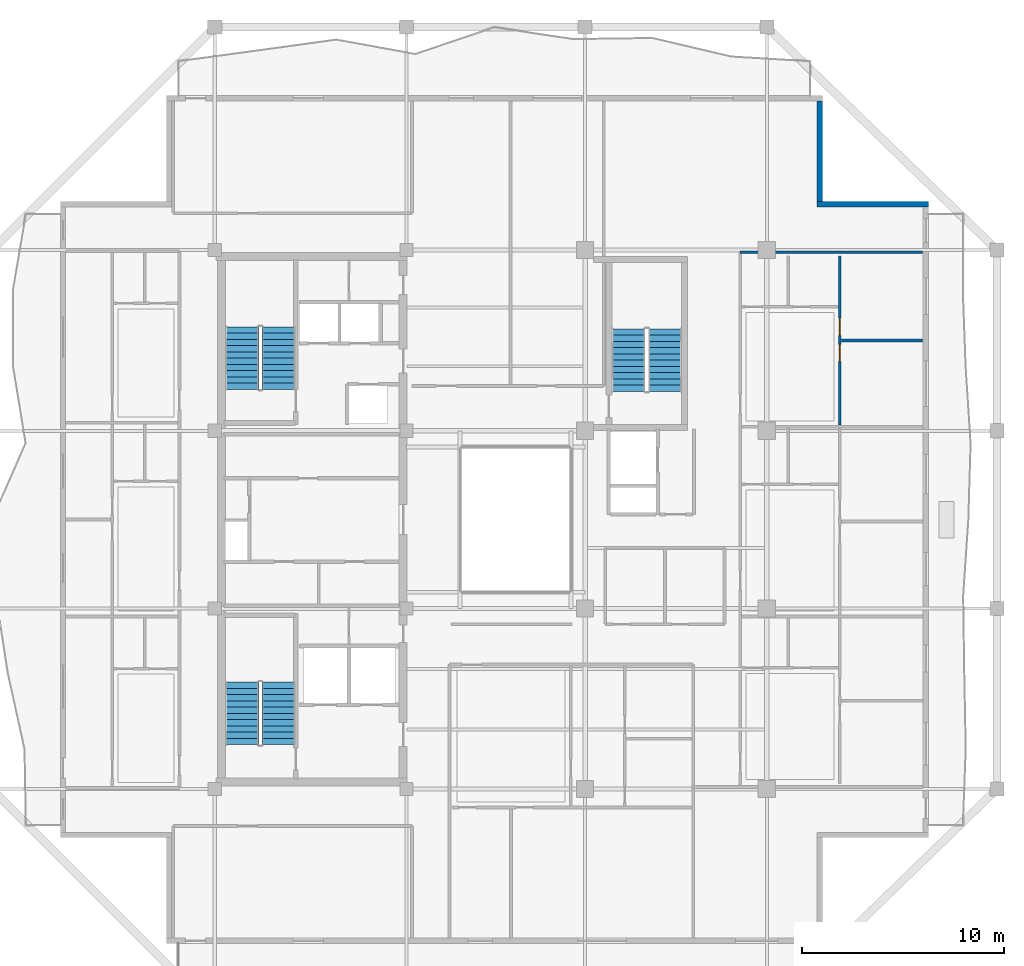
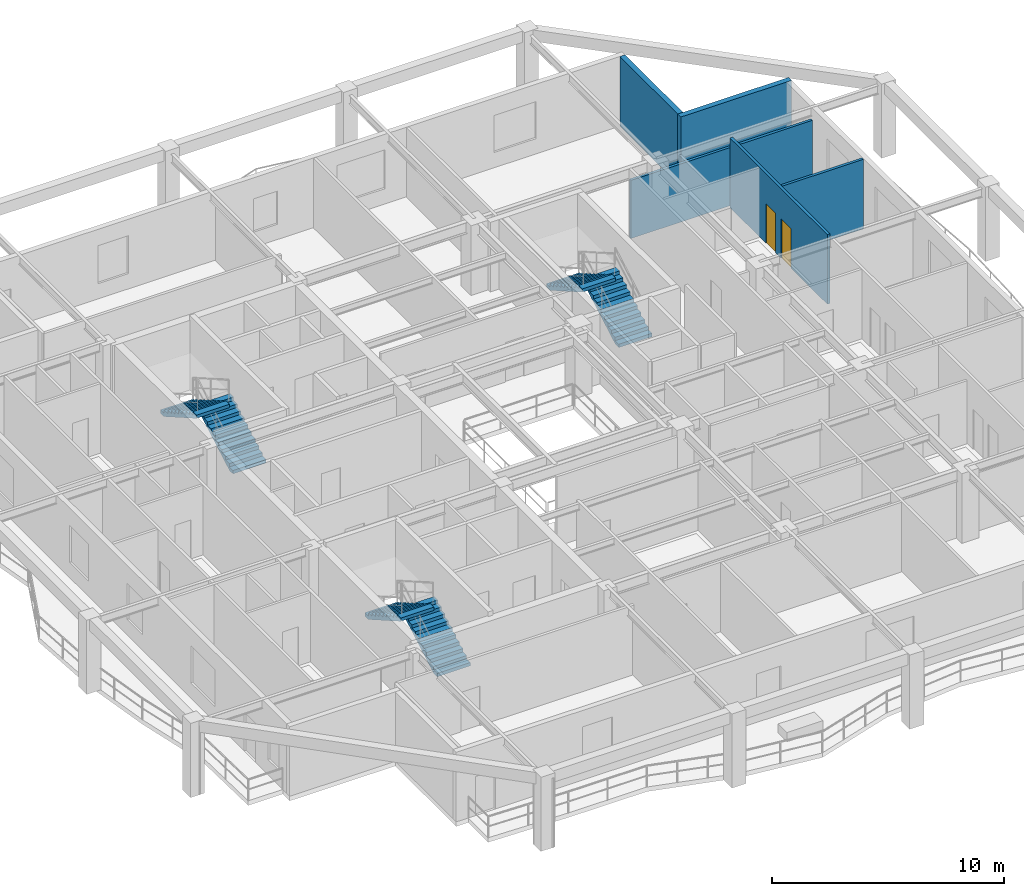
# One storey, part 7 of 13: 6 stair flights, 5 walls, 2 doors, 2 openings, 3 elements without a shape of their own.
"""IFC4 building model written with IfcOpenShell, lengths in metres."""

import ifcopenshell
import ifcopenshell.guid

model = None  # the IFC model being written
_history = None  # IfcOwnerHistory: only IFC2X3 demands one
_inside = {}  # id of a spatial element -> (the spatial element, [elements in it])
_under = {}  # id of a project, library or spatial element -> (it, [spatial elements below it])
_declared = {}  # id of a project -> (the project, [libraries it declares])
_typed = {}  # id of a type object -> (the type object, [elements of that type])
_made_of = {}  # id of a material, layer set ... -> (it, [elements and type objects made of it])


def new_model(schema):
    """Start an empty IFC model of exactly this schema.

    Asked for "IFC4X3", IfcOpenShell would pick the latest addendum, in which some entities
    have other attributes; the version numbers below select the first issue.
    IFC2X3 requires an IfcOwnerHistory on every rooted entity: one is made here for all.
    """
    global model, _history
    if schema == "IFC4X3":
        model = ifcopenshell.file(schema_version=(4, 3, 0, 0))
    else:
        model = ifcopenshell.file(schema=schema)
    _inside.clear()
    _under.clear()
    _declared.clear()
    _typed.clear()
    _made_of.clear()
    _history = None
    if model.schema == "IFC2X3":
        org = make("IfcOrganization", Name="unknown")
        user = make(
            "IfcPersonAndOrganization",
            ThePerson=make("IfcPerson", FamilyName="unknown"),
            TheOrganization=org,
        )
        app = make(
            "IfcApplication",
            ApplicationDeveloper=org,
            Version="unknown",
            ApplicationFullName="unknown",
            ApplicationIdentifier="unknown",
        )
        _history = make(
            "IfcOwnerHistory",
            OwningUser=user,
            OwningApplication=app,
            ChangeAction="ADDED",
            CreationDate=0,
        )
    return model


def make(cls, **values):
    """One entity of the class cls with the attributes given. An attribute that is None is left unset."""
    return model.create_entity(
        cls, **{name: value for name, value in values.items() if value is not None}
    )


def rooted(cls, **values):
    """An entity with a GlobalId (a new one), such as an element, a storey or a relation."""
    return make(cls, GlobalId=ifcopenshell.guid.new(), OwnerHistory=_history, **values)


def si_unit(unit_type, name, prefix=None):
    """IfcSIUnit, for example si_unit("LENGTHUNIT", "METRE", prefix="MILLI")."""
    return make("IfcSIUnit", UnitType=unit_type, Prefix=prefix, Name=name)


def assignment(units):
    """IfcUnitAssignment: the units of a project."""
    return None if units is None else make("IfcUnitAssignment", Units=units)


def point(xyz):
    """IfcCartesianPoint."""
    return None if xyz is None else make("IfcCartesianPoint", Coordinates=xyz)


def direction(xyz):
    """IfcDirection."""
    return None if xyz is None else make("IfcDirection", DirectionRatios=xyz)


def frame(location, z_axis=None, x_axis=None):
    """IfcAxis2Placement3D, a coordinate frame: its origin and axes. An axis left out is left unset."""
    return make(
        "IfcAxis2Placement3D",
        Location=point(location),
        Axis=direction(z_axis),
        RefDirection=direction(x_axis),
    )


def frame_2d(location, x_axis=None):
    """IfcAxis2Placement2D, a coordinate frame in the plane: its origin and x axis."""
    return make(
        "IfcAxis2Placement2D", Location=point(location), RefDirection=direction(x_axis)
    )


def origin():
    """The frame at (0, 0, 0) with its axes left unset."""
    return frame((0.0, 0.0, 0.0))


def place(relative_to, where):
    """IfcLocalPlacement: puts the frame where relative to a parent placement (None: the world)."""
    return make(
        "IfcLocalPlacement", PlacementRelTo=relative_to, RelativePlacement=where
    )


def context(
    kind, dimensions, precision=None, world=None, true_north=None, identifier=None
):
    """IfcGeometricRepresentationContext, for example the 3D "Model" context."""
    return make(
        "IfcGeometricRepresentationContext",
        ContextIdentifier=identifier,
        ContextType=kind,
        CoordinateSpaceDimension=dimensions,
        Precision=precision,
        WorldCoordinateSystem=world,
        TrueNorth=true_north,
    )


def subcontext(parent, identifier, kind, view, scale=None):
    """IfcGeometricRepresentationSubContext, for example "Body" below "Model"."""
    return make(
        "IfcGeometricRepresentationSubContext",
        ContextIdentifier=identifier,
        ContextType=kind,
        ParentContext=parent,
        TargetScale=scale,
        TargetView=view,
    )


def project(units=None, contexts=None):
    """IfcProject with its units and contexts."""
    return rooted(
        "IfcProject",
        Name="project",
        RepresentationContexts=contexts,
        UnitsInContext=assignment(units),
    )


def spatial(cls, under=None, at=None, **own):
    """A site, building, storey or space (cls), placed at a placement, below another one or the project."""
    s = rooted(cls, ObjectPlacement=at, **own)
    if under is not None:
        _under.setdefault(under.id(), (under, []))[1].append(s)
    return s


def polyline(points):
    """IfcPolyline through the points."""
    return make("IfcPolyline", Points=[point(p) for p in points])


def profile(cls, at=None, kind="AREA", **sizes):
    """A parametric profile (cls). Its sizes go by their IFC names, for example OverallWidth=200.0."""
    return make(cls, ProfileType=kind, Position=at, **sizes)


def rectangle(**sizes):
    """IfcRectangleProfileDef."""
    return profile("IfcRectangleProfileDef", **sizes)


def outline(outer, holes=None, kind="AREA"):
    """IfcArbitraryClosedProfileDef: a profile drawn as a closed curve; with holes, ...WithVoids."""
    if holes is None:
        return make("IfcArbitraryClosedProfileDef", ProfileType=kind, OuterCurve=outer)
    return make(
        "IfcArbitraryProfileDefWithVoids",
        ProfileType=kind,
        OuterCurve=outer,
        InnerCurves=holes,
    )


def extrude(swept, where, along, depth):
    """IfcExtrudedAreaSolid: the profile swept, set in the frame where, extruded along a direction by depth."""
    return make(
        "IfcExtrudedAreaSolid",
        SweptArea=swept,
        Position=where,
        ExtrudedDirection=direction(along),
        Depth=depth,
    )


def shape(context_of_items, identifier, shape_type, items):
    """IfcShapeRepresentation: the items that make up one representation, for example the "Body"."""
    return make(
        "IfcShapeRepresentation",
        ContextOfItems=context_of_items,
        RepresentationIdentifier=identifier,
        RepresentationType=shape_type,
        Items=items,
    )


def material(Name=None, Category=None):
    """IfcMaterial."""
    return make("IfcMaterial", Name=Name, Category=Category)


def layer(
    of_material, thickness, ventilated=None, Name=None, Category=None, Priority=None
):
    """IfcMaterialLayer: one layer of a wall or slab, of a material (None: an air gap)."""
    return make(
        "IfcMaterialLayer",
        Material=of_material,
        LayerThickness=thickness,
        IsVentilated=ventilated,
        Name=Name,
        Category=Category,
        Priority=Priority,
    )


def layer_set(layers, Name=None):
    """IfcMaterialLayerSet."""
    return make("IfcMaterialLayerSet", MaterialLayers=layers, LayerSetName=Name)


def made_of(thing, what):
    """Note that an element or type object is made of a material, layer set ...; save() writes the relation."""
    if what is not None:
        _made_of.setdefault(what.id(), (what, []))[1].append(thing)
    return thing


def type_object(cls, material=None, **own):
    """A type object (cls), such as IfcWallType, which elements share."""
    return made_of(rooted(cls, **own), material)


def element(
    cls,
    number,
    at=None,
    inside=None,
    cuts=None,
    type_object=None,
    material=None,
    context=None,
    identifier="Body",
    shape_type=None,
    held_by="IfcProductDefinitionShape",
    body=None,
    shapes=None,
    **own,
):
    """One element of the class cls, such as IfcWall. Its Tag is "e" and its number.

    at: its placement. inside: the storey or other place that contains it. cuts: it is an
    opening in that element (IfcRelVoidsElement). A single representation is given by context,
    identifier, shape_type and body (its items); several are given by shapes. held_by: the class
    of the entity that holds the representations. save() writes the other relations.
    """
    e = rooted(cls, Tag="e%d" % number, ObjectPlacement=at, **own)
    if body is not None:
        shapes = [shape(context, identifier, shape_type, body)]
    if shapes is not None:
        e.Representation = make(held_by, Representations=shapes)
    if inside is not None:
        _inside.setdefault(inside.id(), (inside, []))[1].append(e)
    if cuts is not None:
        rooted(
            "IfcRelVoidsElement", RelatingBuildingElement=cuts, RelatedOpeningElement=e
        )
    if type_object is not None:
        _typed.setdefault(type_object.id(), (type_object, []))[1].append(e)
    return made_of(e, material)


def fill(opening, filler):
    """IfcRelFillsElement: the door or window that sits in an opening."""
    return rooted(
        "IfcRelFillsElement",
        RelatingOpeningElement=opening,
        RelatedBuildingElement=filler,
    )


def aggregate(whole, parts):
    """IfcRelAggregates: a whole, such as a stair, and the parts it consists of."""
    return rooted("IfcRelAggregates", RelatingObject=whole, RelatedObjects=parts)


def save(model, path):
    """Write the relations noted so far, then the file.

    IfcRelAggregates (storeys below a building ...), IfcRelContainedInSpatialStructure (elements
    in a storey), IfcRelDefinesByType, IfcRelAssociatesMaterial and IfcRelDeclares: one each for
    every whole, place, type object, material and project.
    """
    for whole, parts in _under.values():
        aggregate(whole, parts)
    for where, things in _inside.values():
        rooted(
            "IfcRelContainedInSpatialStructure",
            RelatedElements=things,
            RelatingStructure=where,
        )
    for kind, things in _typed.values():
        rooted("IfcRelDefinesByType", RelatedObjects=things, RelatingType=kind)
    for what, things in _made_of.values():
        rooted("IfcRelAssociatesMaterial", RelatedObjects=things, RelatingMaterial=what)
    for by, libraries in _declared.values():
        rooted("IfcRelDeclares", RelatingContext=by, RelatedDefinitions=libraries)
    model.write(path)


model = new_model("IFC4")

# Units and contexts
model_context = context("Model", 3, precision=1e-05, world=origin(), true_north=direction((0.0, 1.0)))
body_context = subcontext(model_context, "Body", "Model", "MODEL_VIEW")
ifc_project = project(units=[si_unit("LENGTHUNIT", "METRE"), si_unit("AREAUNIT", "SQUARE_METRE"), si_unit("VOLUMEUNIT", "CUBIC_METRE"), si_unit("PLANEANGLEUNIT", "RADIAN"), si_unit("MASSUNIT", "GRAM", prefix="KILO")], contexts=[model_context])

# Site, building, storey
site_placement = place(None, origin())
site = spatial("IfcSite", under=ifc_project, at=site_placement, CompositionType="ELEMENT")
building_placement = place(site_placement, origin())
building = spatial("IfcBuilding", under=site, at=building_placement, Name="Kundavana Baori Tower", CompositionType="ELEMENT")
storey_placement = place(building_placement, frame((0.0, 0.0, 225.800048828125)))
storey = spatial("IfcBuildingStorey", under=building, at=storey_placement, Name="L55", CompositionType="ELEMENT", Elevation=225.800048828125)

# Walls
ifc_material_1 = material(Name="Kiln-Fired Terracotta Brick-Slip Masonry on Concrete C40/50", Category="masonry")
ifc_layer_1 = layer(ifc_material_1, 0.260009765625, Name="WL-EXT-BRK-260")
ifc_layer_set_1 = layer_set([ifc_layer_1], Name="Kiln-Fired Terracotta Brick-Slip Masonry on Concrete C40/50")
wall_type_1 = type_object("IfcWallType", Name="WL-EXT-BRK-260", PredefinedType="SOLIDWALL", material=ifc_layer_set_1)
wall_1_placement = place(storey_placement, frame((50.800048828125, 44.219970703125, 0.0), z_axis=(0.0, 0.0, 1.0), x_axis=(-1.0, 0.0, 0.0)))
element("IfcWall", 1, at=wall_1_placement, inside=storey, type_object=wall_type_1, Name="L55 Exterior Insulated Facade Wall 05", PredefinedType="SOLIDWALL", context=body_context, shape_type="SweptSolid", body=[
    extrude(rectangle(XDim=5.510009765625, YDim=0.260009765625, at=frame_2d((2.7548828125, 0.0))), origin(), (0.0, 0.0, 1.0), 3.659912109375),
])
wall_2_placement = place(storey_placement, frame((45.419921875, 44.35009765625, 0.0), z_axis=(0.0, 0.0, 1.0), x_axis=(0.0, 1.0, 0.0)))
element("IfcWall", 2, at=wall_2_placement, inside=storey, type_object=wall_type_1, Name="L55 Exterior Insulated Facade Wall 06", PredefinedType="SOLIDWALL", context=body_context, shape_type="SweptSolid", body=[
    extrude(rectangle(XDim=4.989990234375, YDim=0.260009765625, at=frame_2d((2.4951171875, 0.0))), origin(), (0.0, 0.0, 1.0), 3.659912109375),
])
ifc_material_2 = material(Name="Acoustic Gypsum Plasterboard on Galvanised Steel Studs", Category="steel")
ifc_layer_2 = layer(ifc_material_2, 0.135009765625, Name="WL-PART-135")
ifc_layer_set_2 = layer_set([ifc_layer_2], Name="Acoustic Gypsum Plasterboard on Galvanised Steel Studs")
wall_type_2 = type_object("IfcWallType", Name="WL-PART-135", PredefinedType="PARTITIONING", material=ifc_layer_set_2)
wall_3_placement = place(storey_placement, frame((41.47998046875, 41.85009765625, 0.0), z_axis=(0.0, 0.0, 1.0), x_axis=(1.0, 0.0, 0.0)))
element("IfcWall", 3, at=wall_3_placement, inside=storey, type_object=wall_type_2, Name="WL-L55-REN", PredefinedType="PARTITIONING", context=body_context, shape_type="SweptSolid", body=[
    extrude(rectangle(XDim=9.0400390625, YDim=0.135009765625, at=frame_2d((4.52001953125, 0.0))), origin(), (0.0, 0.0, 1.0), 3.06005859375),
])

# Wall, openings, doors
wall_4_placement = place(storey_placement, frame((46.407958984375, 33.280029296875, 0.0), z_axis=(0.0, 0.0, 1.0), x_axis=(0.0, 1.0, 0.0)))
wall_4 = element("IfcWall", 4, at=wall_4_placement, inside=storey, type_object=wall_type_2, Name="WL-L55-E3-VT", PredefinedType="PARTITIONING", context=body_context, shape_type="SweptSolid", body=[
    extrude(rectangle(XDim=8.389892578125, YDim=0.135009765625, at=frame_2d((4.19482421875, 0.0))), origin(), (0.0, 0.0, 1.0), 3.659912109375),
])
opening_1_placement = place(wall_4_placement, frame((3.14501953125, 0.0, 0.0)))
opening_1 = element("IfcOpeningElement", 5, at=opening_1_placement, cuts=wall_4, Name="Opening ID-085", PredefinedType="OPENING", context=body_context, shape_type="SweptSolid", body=[
    extrude(rectangle(XDim=0.85009765625, YDim=2.080078125, at=frame_2d((0.425048828125, 1.0400390625))), frame((0.0, 0.07763671875, 0.0), z_axis=(0.0, -1.0, 0.0), x_axis=(1.0, 0.0, 0.0)), (0.0, 0.0, 1.0), 0.155029296875),
])
opening_2_placement = place(wall_4_placement, frame((4.445068359375, 0.0, 0.0)))
opening_2 = element("IfcOpeningElement", 6, at=opening_2_placement, cuts=wall_4, Name="Opening ID-085", PredefinedType="OPENING", context=body_context, shape_type="SweptSolid", body=[
    extrude(rectangle(XDim=0.85009765625, YDim=2.080078125, at=frame_2d((0.425048828125, 1.0400390625))), frame((0.0, 0.07763671875, 0.0), z_axis=(0.0, -1.0, 0.0), x_axis=(1.0, 0.0, 0.0)), (0.0, 0.0, 1.0), 0.155029296875),
])
ifc_material_3 = material(Name="Engineered Teak Solid-Core Timber Veneer", Category="wood")
door_type = type_object("IfcDoorType", Name="DR-INT-850", OperationType="NOTDEFINED", PredefinedType="DOOR", material=ifc_material_3)
door_1_placement = place(opening_1_placement, origin())
door_1 = element("IfcDoor", 7, at=door_1_placement, inside=storey, type_object=door_type, Name="DR-L55-E3-B1", OperationType="SINGLE_SWING_LEFT", OverallHeight=2.080078125, OverallWidth=0.85009765625, PredefinedType="DOOR", context=body_context, shape_type="SweptSolid", body=[
    extrude(rectangle(XDim=0.85009765625, YDim=2.080078125, at=frame_2d((0.425048828125, 1.0400390625))), frame((0.0, 0.02490234375, 0.0), z_axis=(0.0, -1.0, 0.0), x_axis=(1.0, 0.0, 0.0)), (0.0, 0.0, 1.0), 0.050048828125),
])
fill(opening_1, door_1)
door_2_placement = place(opening_2_placement, origin())
door_2 = element("IfcDoor", 8, at=door_2_placement, inside=storey, type_object=door_type, Name="DR-L55-E3-B2", OperationType="SINGLE_SWING_RIGHT", OverallHeight=2.080078125, OverallWidth=0.85009765625, PredefinedType="DOOR", context=body_context, shape_type="SweptSolid", body=[
    extrude(rectangle(XDim=0.85009765625, YDim=2.080078125, at=frame_2d((0.425048828125, 1.0400390625))), frame((0.0, 0.02490234375, 0.0), z_axis=(0.0, -1.0, 0.0), x_axis=(1.0, 0.0, 0.0)), (0.0, 0.0, 1.0), 0.050048828125),
])
fill(opening_2, door_2)

# Wall
wall_5_placement = place(storey_placement, frame((46.488037109375, 37.47509765625, 0.0), z_axis=(0.0, 0.0, 1.0), x_axis=(1.0, 0.0, 0.0)))
element("IfcWall", 9, at=wall_5_placement, inside=storey, type_object=wall_type_2, Name="WL-L55-E3-BDH", PredefinedType="PARTITIONING", context=body_context, shape_type="SweptSolid", body=[
    extrude(rectangle(XDim=4.031982421875, YDim=0.135009765625, at=frame_2d((2.01611328125, 0.0))), origin(), (0.0, 0.0, 1.0), 3.659912109375),
])

# Stair, stair flights
ifc_material_4 = material(Name="Concrete C40/50", Category="concrete")
stair_type = type_object("IfcStairType", Name="STR-DOG-1650", PredefinedType="HALF_TURN_STAIR", material=ifc_material_4)
stair_1_placement = place(storey_placement, origin())
stair_1 = element("IfcStair", 10, at=stair_1_placement, inside=storey, type_object=stair_type, Name="L55 Protected Exit Stair ST1", PredefinedType="HALF_TURN_STAIR")
ifc_material_5 = material(Name="Concrete C40/50", Category="concrete")
stair_flight_type = type_object("IfcStairFlightType", Name="SFL-RC-1650", PredefinedType="STRAIGHT", material=ifc_material_5)
stair_flight_1_placement = place(storey_placement, frame((18.614990234375, 17.449951171875, 0.0), z_axis=(0.0, 0.0, 1.0), x_axis=(0.0, 1.0, 0.0)))
stair_flight_1 = element("IfcStairFlight", 11, at=stair_flight_1_placement, type_object=stair_flight_type, Name="ST1 flight 1", NumberOfRisers=11, NumberOfTreads=10, PredefinedType="STRAIGHT", RiserHeight=0.177272727, TreadLength=0.31, context=body_context, shape_type="SweptSolid", body=[
    extrude(outline(polyline([(0.0, 0.0), (0.0, 0.17724609375), (0.31005859375, 0.17724609375), (0.31005859375, 0.3544921875), (0.6201171875, 0.3544921875), (0.6201171875, 0.53173828125), (0.929931640625, 0.53173828125), (0.929931640625, 0.708984375), (1.239990234375, 0.708984375), (1.239990234375, 0.886474609375), (1.550048828125, 0.886474609375), (1.550048828125, 1.063720703125), (1.860107421875, 1.063720703125), (1.860107421875, 1.240966796875), (2.169921875, 1.240966796875), (2.169921875, 1.418212890625), (2.47998046875, 1.418212890625), (2.47998046875, 1.595458984375), (2.7900390625, 1.595458984375), (2.7900390625, 1.772705078125), (3.10009765625, 1.772705078125), (3.10009765625, 1.949951171875), (3.10009765625, 1.60009765625), (0.302001953125, 0.0), (0.0, 0.0)])), frame((0.0, 0.824951171875, 0.0), z_axis=(0.0, -1.0, 0.0), x_axis=(1.0, 0.0, 0.0)), (0.0, 0.0, 1.0), 1.64990234375),
])
stair_flight_2_placement = place(storey_placement, frame((16.804931640625, 20.550048828125, 1.949951171875), z_axis=(0.0, 0.0, 1.0), x_axis=(0.0, -1.0, 0.0)))
stair_flight_2 = element("IfcStairFlight", 12, at=stair_flight_2_placement, type_object=stair_flight_type, Name="ST1 flight 2", NumberOfRisers=11, NumberOfTreads=10, PredefinedType="STRAIGHT", RiserHeight=0.177272727, TreadLength=0.31, context=body_context, shape_type="SweptSolid", body=[
    extrude(outline(polyline([(0.0, 0.0), (0.0, 0.17724609375), (0.31005859375, 0.17724609375), (0.31005859375, 0.3544921875), (0.6201171875, 0.3544921875), (0.6201171875, 0.53173828125), (0.929931640625, 0.53173828125), (0.929931640625, 0.708984375), (1.239990234375, 0.708984375), (1.239990234375, 0.886474609375), (1.550048828125, 0.886474609375), (1.550048828125, 1.063720703125), (1.860107421875, 1.063720703125), (1.860107421875, 1.240966796875), (2.169921875, 1.240966796875), (2.169921875, 1.418212890625), (2.47998046875, 1.418212890625), (2.47998046875, 1.595458984375), (2.7900390625, 1.595458984375), (2.7900390625, 1.772705078125), (3.10009765625, 1.772705078125), (3.10009765625, 1.949951171875), (3.10009765625, 1.60009765625), (0.302001953125, 0.0), (0.0, 0.0)])), frame((0.0, 0.824951171875, 0.0), z_axis=(0.0, -1.0, 0.0), x_axis=(1.0, 0.0, 0.0)), (0.0, 0.0, 1.0), 1.64990234375),
])
aggregate(stair_1, [stair_flight_1, stair_flight_2])

stair_2_placement = place(storey_placement, origin())
stair_2 = element("IfcStair", 13, at=stair_2_placement, inside=storey, type_object=stair_type, Name="L55 Protected Exit Stair ST2", PredefinedType="HALF_TURN_STAIR")
stair_flight_3_placement = place(storey_placement, frame((18.614990234375, 35.050048828125, 0.0), z_axis=(0.0, 0.0, 1.0), x_axis=(0.0, 1.0, 0.0)))
stair_flight_3 = element("IfcStairFlight", 14, at=stair_flight_3_placement, type_object=stair_flight_type, Name="ST2 flight 1", NumberOfRisers=11, NumberOfTreads=10, PredefinedType="STRAIGHT", RiserHeight=0.177272727, TreadLength=0.31, context=body_context, shape_type="SweptSolid", body=[
    extrude(outline(polyline([(0.0, 0.0), (0.0, 0.17724609375), (0.31005859375, 0.17724609375), (0.31005859375, 0.3544921875), (0.6201171875, 0.3544921875), (0.6201171875, 0.53173828125), (0.929931640625, 0.53173828125), (0.929931640625, 0.708984375), (1.239990234375, 0.708984375), (1.239990234375, 0.886474609375), (1.550048828125, 0.886474609375), (1.550048828125, 1.063720703125), (1.860107421875, 1.063720703125), (1.860107421875, 1.240966796875), (2.169921875, 1.240966796875), (2.169921875, 1.418212890625), (2.47998046875, 1.418212890625), (2.47998046875, 1.595458984375), (2.7900390625, 1.595458984375), (2.7900390625, 1.772705078125), (3.10009765625, 1.772705078125), (3.10009765625, 1.949951171875), (3.10009765625, 1.60009765625), (0.302001953125, 0.0), (0.0, 0.0)])), frame((0.0, 0.824951171875, 0.0), z_axis=(0.0, -1.0, 0.0), x_axis=(1.0, 0.0, 0.0)), (0.0, 0.0, 1.0), 1.64990234375),
])
stair_flight_4_placement = place(storey_placement, frame((16.804931640625, 38.14990234375, 1.949951171875), z_axis=(0.0, 0.0, 1.0), x_axis=(0.0, -1.0, 0.0)))
stair_flight_4 = element("IfcStairFlight", 15, at=stair_flight_4_placement, type_object=stair_flight_type, Name="ST2 flight 2", NumberOfRisers=11, NumberOfTreads=10, PredefinedType="STRAIGHT", RiserHeight=0.177272727, TreadLength=0.31, context=body_context, shape_type="SweptSolid", body=[
    extrude(outline(polyline([(0.0, 0.0), (0.0, 0.17724609375), (0.31005859375, 0.17724609375), (0.31005859375, 0.3544921875), (0.6201171875, 0.3544921875), (0.6201171875, 0.53173828125), (0.929931640625, 0.53173828125), (0.929931640625, 0.708984375), (1.239990234375, 0.708984375), (1.239990234375, 0.886474609375), (1.550048828125, 0.886474609375), (1.550048828125, 1.063720703125), (1.860107421875, 1.063720703125), (1.860107421875, 1.240966796875), (2.169921875, 1.240966796875), (2.169921875, 1.418212890625), (2.47998046875, 1.418212890625), (2.47998046875, 1.595458984375), (2.7900390625, 1.595458984375), (2.7900390625, 1.772705078125), (3.10009765625, 1.772705078125), (3.10009765625, 1.949951171875), (3.10009765625, 1.60009765625), (0.302001953125, 0.0), (0.0, 0.0)])), frame((0.0, 0.824951171875, 0.0), z_axis=(0.0, -1.0, 0.0), x_axis=(1.0, 0.0, 0.0)), (0.0, 0.0, 1.0), 1.64990234375),
])
aggregate(stair_2, [stair_flight_3, stair_flight_4])

stair_3_placement = place(storey_placement, origin())
stair_3 = element("IfcStair", 16, at=stair_3_placement, inside=storey, type_object=stair_type, Name="L55 Protected Exit Stair ST3", PredefinedType="HALF_TURN_STAIR")
stair_flight_5_placement = place(storey_placement, frame((37.7548828125, 34.949951171875, 0.0), z_axis=(0.0, 0.0, 1.0), x_axis=(0.0, 1.0, 0.0)))
stair_flight_5 = element("IfcStairFlight", 17, at=stair_flight_5_placement, type_object=stair_flight_type, Name="ST3 flight 1", NumberOfRisers=11, NumberOfTreads=10, PredefinedType="STRAIGHT", RiserHeight=0.177272727, TreadLength=0.31, context=body_context, shape_type="SweptSolid", body=[
    extrude(outline(polyline([(0.0, 0.0), (0.0, 0.17724609375), (0.31005859375, 0.17724609375), (0.31005859375, 0.3544921875), (0.6201171875, 0.3544921875), (0.6201171875, 0.53173828125), (0.929931640625, 0.53173828125), (0.929931640625, 0.708984375), (1.239990234375, 0.708984375), (1.239990234375, 0.886474609375), (1.550048828125, 0.886474609375), (1.550048828125, 1.063720703125), (1.860107421875, 1.063720703125), (1.860107421875, 1.240966796875), (2.169921875, 1.240966796875), (2.169921875, 1.418212890625), (2.47998046875, 1.418212890625), (2.47998046875, 1.595458984375), (2.7900390625, 1.595458984375), (2.7900390625, 1.772705078125), (3.10009765625, 1.772705078125), (3.10009765625, 1.949951171875), (3.10009765625, 1.60009765625), (0.302001953125, 0.0), (0.0, 0.0)])), frame((0.0, 0.824951171875, 0.0), z_axis=(0.0, -1.0, 0.0), x_axis=(1.0, 0.0, 0.0)), (0.0, 0.0, 1.0), 1.64990234375),
])
stair_flight_6_placement = place(storey_placement, frame((35.945068359375, 38.050048828125, 1.949951171875), z_axis=(0.0, 0.0, 1.0), x_axis=(0.0, -1.0, 0.0)))
stair_flight_6 = element("IfcStairFlight", 18, at=stair_flight_6_placement, type_object=stair_flight_type, Name="ST3 flight 2", NumberOfRisers=11, NumberOfTreads=10, PredefinedType="STRAIGHT", RiserHeight=0.177272727, TreadLength=0.31, context=body_context, shape_type="SweptSolid", body=[
    extrude(outline(polyline([(0.0, 0.0), (0.0, 0.17724609375), (0.31005859375, 0.17724609375), (0.31005859375, 0.3544921875), (0.6201171875, 0.3544921875), (0.6201171875, 0.53173828125), (0.929931640625, 0.53173828125), (0.929931640625, 0.708984375), (1.239990234375, 0.708984375), (1.239990234375, 0.886474609375), (1.550048828125, 0.886474609375), (1.550048828125, 1.063720703125), (1.860107421875, 1.063720703125), (1.860107421875, 1.240966796875), (2.169921875, 1.240966796875), (2.169921875, 1.418212890625), (2.47998046875, 1.418212890625), (2.47998046875, 1.595458984375), (2.7900390625, 1.595458984375), (2.7900390625, 1.772705078125), (3.10009765625, 1.772705078125), (3.10009765625, 1.949951171875), (3.10009765625, 1.60009765625), (0.302001953125, 0.0), (0.0, 0.0)])), frame((0.0, 0.824951171875, 0.0), z_axis=(0.0, -1.0, 0.0), x_axis=(1.0, 0.0, 0.0)), (0.0, 0.0, 1.0), 1.64990234375),
])
aggregate(stair_3, [stair_flight_5, stair_flight_6])

save(model, "model.ifc")
